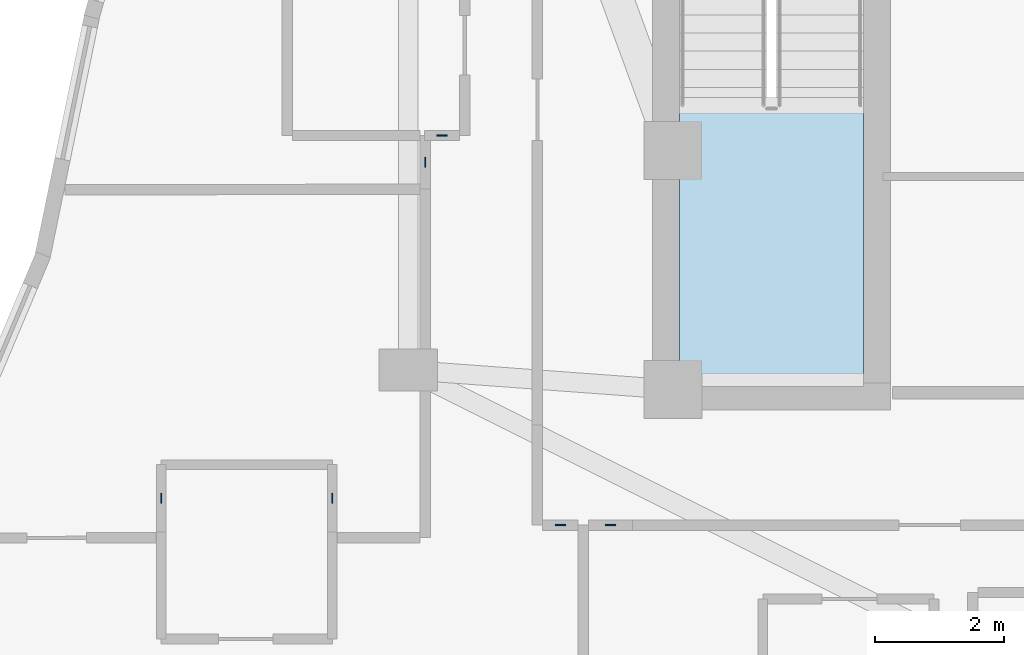
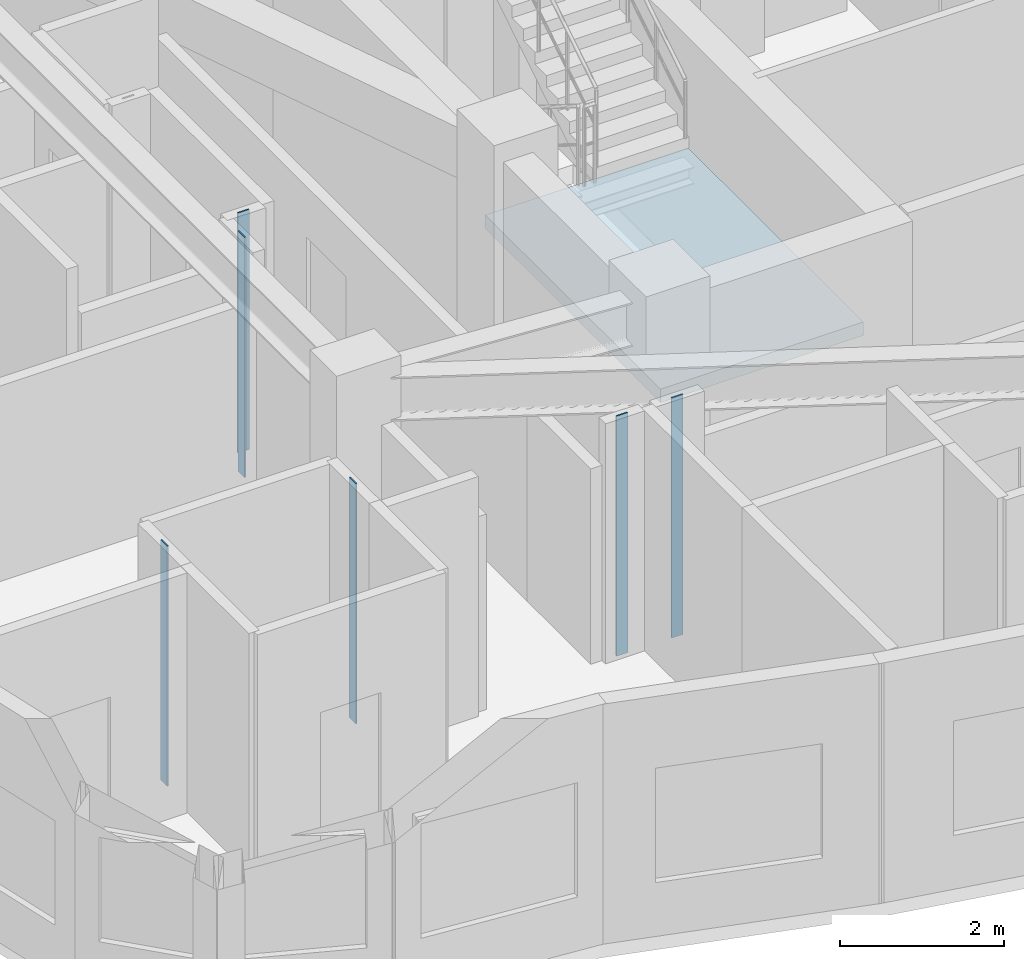
# One storey, part 2 of 13: 6 plates, 1 slab, 1 element without a shape of its own.
"""IFC4 building model written with IfcOpenShell, lengths in metres."""

import ifcopenshell
import ifcopenshell.guid

model = None  # the IFC model being written
_history = None  # IfcOwnerHistory: only IFC2X3 demands one
_inside = {}  # id of a spatial element -> (the spatial element, [elements in it])
_under = {}  # id of a project, library or spatial element -> (it, [spatial elements below it])
_declared = {}  # id of a project -> (the project, [libraries it declares])
_typed = {}  # id of a type object -> (the type object, [elements of that type])
_made_of = {}  # id of a material, layer set ... -> (it, [elements and type objects made of it])


def new_model(schema):
    """Start an empty IFC model of exactly this schema.

    Asked for "IFC4X3", IfcOpenShell would pick the latest addendum, in which some entities
    have other attributes; the version numbers below select the first issue.
    IFC2X3 requires an IfcOwnerHistory on every rooted entity: one is made here for all.
    """
    global model, _history
    if schema == "IFC4X3":
        model = ifcopenshell.file(schema_version=(4, 3, 0, 0))
    else:
        model = ifcopenshell.file(schema=schema)
    _inside.clear()
    _under.clear()
    _declared.clear()
    _typed.clear()
    _made_of.clear()
    _history = None
    if model.schema == "IFC2X3":
        org = make("IfcOrganization", Name="unknown")
        user = make(
            "IfcPersonAndOrganization",
            ThePerson=make("IfcPerson", FamilyName="unknown"),
            TheOrganization=org,
        )
        app = make(
            "IfcApplication",
            ApplicationDeveloper=org,
            Version="unknown",
            ApplicationFullName="unknown",
            ApplicationIdentifier="unknown",
        )
        _history = make(
            "IfcOwnerHistory",
            OwningUser=user,
            OwningApplication=app,
            ChangeAction="ADDED",
            CreationDate=0,
        )
    return model


def make(cls, **values):
    """One entity of the class cls with the attributes given. An attribute that is None is left unset."""
    return model.create_entity(
        cls, **{name: value for name, value in values.items() if value is not None}
    )


def rooted(cls, **values):
    """An entity with a GlobalId (a new one), such as an element, a storey or a relation."""
    return make(cls, GlobalId=ifcopenshell.guid.new(), OwnerHistory=_history, **values)


def si_unit(unit_type, name, prefix=None):
    """IfcSIUnit, for example si_unit("LENGTHUNIT", "METRE", prefix="MILLI")."""
    return make("IfcSIUnit", UnitType=unit_type, Prefix=prefix, Name=name)


def assignment(units):
    """IfcUnitAssignment: the units of a project."""
    return None if units is None else make("IfcUnitAssignment", Units=units)


def point(xyz):
    """IfcCartesianPoint."""
    return None if xyz is None else make("IfcCartesianPoint", Coordinates=xyz)


def direction(xyz):
    """IfcDirection."""
    return None if xyz is None else make("IfcDirection", DirectionRatios=xyz)


def frame(location, z_axis=None, x_axis=None):
    """IfcAxis2Placement3D, a coordinate frame: its origin and axes. An axis left out is left unset."""
    return make(
        "IfcAxis2Placement3D",
        Location=point(location),
        Axis=direction(z_axis),
        RefDirection=direction(x_axis),
    )


def frame_2d(location, x_axis=None):
    """IfcAxis2Placement2D, a coordinate frame in the plane: its origin and x axis."""
    return make(
        "IfcAxis2Placement2D", Location=point(location), RefDirection=direction(x_axis)
    )


def origin():
    """The frame at (0, 0, 0) with its axes left unset."""
    return frame((0.0, 0.0, 0.0))


def origin_2d():
    """The frame at (0, 0) in the plane with its x axis left unset."""
    return frame_2d((0.0, 0.0))


def place(relative_to, where):
    """IfcLocalPlacement: puts the frame where relative to a parent placement (None: the world)."""
    return make(
        "IfcLocalPlacement", PlacementRelTo=relative_to, RelativePlacement=where
    )


def context(
    kind, dimensions, precision=None, world=None, true_north=None, identifier=None
):
    """IfcGeometricRepresentationContext, for example the 3D "Model" context."""
    return make(
        "IfcGeometricRepresentationContext",
        ContextIdentifier=identifier,
        ContextType=kind,
        CoordinateSpaceDimension=dimensions,
        Precision=precision,
        WorldCoordinateSystem=world,
        TrueNorth=true_north,
    )


def subcontext(parent, identifier, kind, view, scale=None):
    """IfcGeometricRepresentationSubContext, for example "Body" below "Model"."""
    return make(
        "IfcGeometricRepresentationSubContext",
        ContextIdentifier=identifier,
        ContextType=kind,
        ParentContext=parent,
        TargetScale=scale,
        TargetView=view,
    )


def project(units=None, contexts=None):
    """IfcProject with its units and contexts."""
    return rooted(
        "IfcProject",
        Name="project",
        RepresentationContexts=contexts,
        UnitsInContext=assignment(units),
    )


def spatial(cls, under=None, at=None, **own):
    """A site, building, storey or space (cls), placed at a placement, below another one or the project."""
    s = rooted(cls, ObjectPlacement=at, **own)
    if under is not None:
        _under.setdefault(under.id(), (under, []))[1].append(s)
    return s


def polyline(points):
    """IfcPolyline through the points."""
    return make("IfcPolyline", Points=[point(p) for p in points])


def profile(cls, at=None, kind="AREA", **sizes):
    """A parametric profile (cls). Its sizes go by their IFC names, for example OverallWidth=200.0."""
    return make(cls, ProfileType=kind, Position=at, **sizes)


def rectangle(**sizes):
    """IfcRectangleProfileDef."""
    return profile("IfcRectangleProfileDef", **sizes)


def outline(outer, holes=None, kind="AREA"):
    """IfcArbitraryClosedProfileDef: a profile drawn as a closed curve; with holes, ...WithVoids."""
    if holes is None:
        return make("IfcArbitraryClosedProfileDef", ProfileType=kind, OuterCurve=outer)
    return make(
        "IfcArbitraryProfileDefWithVoids",
        ProfileType=kind,
        OuterCurve=outer,
        InnerCurves=holes,
    )


def extrude(swept, where, along, depth):
    """IfcExtrudedAreaSolid: the profile swept, set in the frame where, extruded along a direction by depth."""
    return make(
        "IfcExtrudedAreaSolid",
        SweptArea=swept,
        Position=where,
        ExtrudedDirection=direction(along),
        Depth=depth,
    )


def shape(context_of_items, identifier, shape_type, items):
    """IfcShapeRepresentation: the items that make up one representation, for example the "Body"."""
    return make(
        "IfcShapeRepresentation",
        ContextOfItems=context_of_items,
        RepresentationIdentifier=identifier,
        RepresentationType=shape_type,
        Items=items,
    )


def material(Name=None, Category=None):
    """IfcMaterial."""
    return make("IfcMaterial", Name=Name, Category=Category)


def layer(
    of_material, thickness, ventilated=None, Name=None, Category=None, Priority=None
):
    """IfcMaterialLayer: one layer of a wall or slab, of a material (None: an air gap)."""
    return make(
        "IfcMaterialLayer",
        Material=of_material,
        LayerThickness=thickness,
        IsVentilated=ventilated,
        Name=Name,
        Category=Category,
        Priority=Priority,
    )


def layer_set(layers, Name=None):
    """IfcMaterialLayerSet."""
    return make("IfcMaterialLayerSet", MaterialLayers=layers, LayerSetName=Name)


def made_of(thing, what):
    """Note that an element or type object is made of a material, layer set ...; save() writes the relation."""
    if what is not None:
        _made_of.setdefault(what.id(), (what, []))[1].append(thing)
    return thing


def type_object(cls, material=None, **own):
    """A type object (cls), such as IfcWallType, which elements share."""
    return made_of(rooted(cls, **own), material)


def element(
    cls,
    number,
    at=None,
    inside=None,
    cuts=None,
    type_object=None,
    material=None,
    context=None,
    identifier="Body",
    shape_type=None,
    held_by="IfcProductDefinitionShape",
    body=None,
    shapes=None,
    **own,
):
    """One element of the class cls, such as IfcWall. Its Tag is "e" and its number.

    at: its placement. inside: the storey or other place that contains it. cuts: it is an
    opening in that element (IfcRelVoidsElement). A single representation is given by context,
    identifier, shape_type and body (its items); several are given by shapes. held_by: the class
    of the entity that holds the representations. save() writes the other relations.
    """
    e = rooted(cls, Tag="e%d" % number, ObjectPlacement=at, **own)
    if body is not None:
        shapes = [shape(context, identifier, shape_type, body)]
    if shapes is not None:
        e.Representation = make(held_by, Representations=shapes)
    if inside is not None:
        _inside.setdefault(inside.id(), (inside, []))[1].append(e)
    if cuts is not None:
        rooted(
            "IfcRelVoidsElement", RelatingBuildingElement=cuts, RelatedOpeningElement=e
        )
    if type_object is not None:
        _typed.setdefault(type_object.id(), (type_object, []))[1].append(e)
    return made_of(e, material)


def aggregate(whole, parts):
    """IfcRelAggregates: a whole, such as a stair, and the parts it consists of."""
    return rooted("IfcRelAggregates", RelatingObject=whole, RelatedObjects=parts)


def save(model, path):
    """Write the relations noted so far, then the file.

    IfcRelAggregates (storeys below a building ...), IfcRelContainedInSpatialStructure (elements
    in a storey), IfcRelDefinesByType, IfcRelAssociatesMaterial and IfcRelDeclares: one each for
    every whole, place, type object, material and project.
    """
    for whole, parts in _under.values():
        aggregate(whole, parts)
    for where, things in _inside.values():
        rooted(
            "IfcRelContainedInSpatialStructure",
            RelatedElements=things,
            RelatingStructure=where,
        )
    for kind, things in _typed.values():
        rooted("IfcRelDefinesByType", RelatedObjects=things, RelatingType=kind)
    for what, things in _made_of.values():
        rooted("IfcRelAssociatesMaterial", RelatedObjects=things, RelatingMaterial=what)
    for by, libraries in _declared.values():
        rooted("IfcRelDeclares", RelatingContext=by, RelatedDefinitions=libraries)
    model.write(path)


model = new_model("IFC4")

# Units and contexts
model_context = context("Model", 3, precision=1e-05, world=origin(), true_north=direction((0.0, 1.0)))
body_context = subcontext(model_context, "Body", "Model", "MODEL_VIEW")
ifc_project = project(units=[si_unit("LENGTHUNIT", "METRE"), si_unit("AREAUNIT", "SQUARE_METRE"), si_unit("VOLUMEUNIT", "CUBIC_METRE"), si_unit("PLANEANGLEUNIT", "RADIAN"), si_unit("MASSUNIT", "GRAM", prefix="KILO")], contexts=[model_context])

# Site, building, storey
site_placement = place(None, origin())
site = spatial("IfcSite", under=ifc_project, at=site_placement, CompositionType="ELEMENT")
building_placement = place(site_placement, origin())
building = spatial("IfcBuilding", under=site, at=building_placement, Name="Miruveldt Soraemaru", CompositionType="ELEMENT")
storey_placement = place(building_placement, frame((0.0, 0.0, 259.699951171875)))
storey = spatial("IfcBuildingStorey", under=building, at=storey_placement, Name="L71", CompositionType="ELEMENT", Elevation=259.699951171875)

# Plates
ifc_material_1 = material(Name="Anodised aluminium EN AW-6063 T6", Category="aluminium")
ifc_layer_1 = layer(ifc_material_1, 0.02001953125, Name="Anodised aluminium EN AW-6063 T6", Category="aluminium")
ifc_layer_set_1 = layer_set([ifc_layer_1], Name="Anodised aluminium EN AW-6063 T6")
plate_type = type_object("IfcPlateType", Name="PLT-PART-TRIM", PredefinedType="SHEET", material=ifc_layer_set_1)
for number, where, z_axis, x_axis, name in (
    (1, (30.222900390625, 33.8154296875, 0.0), (0.0, 0.0, 1.0), (0.0, 1.0, 0.0), "L71 Partition Step Corner Trim Plate 040"),
    (2, (27.572998046875, 33.8154296875, 0.0), (0.0, 0.0, 1.0), (0.0, -1.0, 0.0), "L71 Partition Step Corner Trim Plate 042"),
    (3, (31.662109375, 39.01904296875, 0.0), (0.0, 0.0, 1.0), (0.0, -1.0, 0.0), "L71 Partition Step Corner Trim Plate 037"),
    (4, (34.531005859375, 33.39990234375, 0.0), (0.0, 0.0, 1.0), (1.0, 0.0, 0.0), "L71 Partition Step Corner Trim Plate 008"),
    (5, (33.756103515625, 33.39990234375, 0.0), (0.0, 0.0, 1.0), (1.0, 0.0, 0.0), "L71 Partition Step Corner Trim Plate 007"),
    (6, (31.922607421875, 39.43505859375, 0.0), (0.0, 0.0, 1.0), (1.0, 0.0, 0.0), "L71 Partition Step Corner Trim Plate 032"),
):
    element("IfcPlate", number, at=place(storey_placement, frame(where, z_axis=z_axis, x_axis=x_axis)), inside=storey, type_object=plate_type, Name=name, PredefinedType="SHEET", context=body_context, shape_type="SweptSolid", body=[
        extrude(rectangle(XDim=0.159912109375, YDim=0.02001953125, at=origin_2d()), origin(), (0.0, 0.0, 1.0), 3.56494140625),
    ])

# Stair, slab
ifc_material_2 = material(Name="Concrete C40/50 (40 MPa)", Category="concrete")
stair_type = type_object("IfcStairType", Name="STAIR-DL-385", PredefinedType="HALF_TURN_STAIR", material=ifc_material_2)
stair_placement = place(storey_placement, origin())
stair = element("IfcStair", 7, at=stair_placement, inside=storey, type_object=stair_type, Name="L71 Protected Exit Stair ST-1", PredefinedType="HALF_TURN_STAIR")
ifc_layer_2 = layer(ifc_material_2, 0.199951171875, Name="Concrete C40/50 (40 MPa)", Category="concrete")
ifc_layer_set_2 = layer_set([ifc_layer_2], Name="Concrete C40/50 (40 MPa)")
slab_type = type_object("IfcSlabType", Name="SLAB-LAND-200", PredefinedType="LANDING", material=ifc_layer_set_2)
slab_placement = place(storey_placement, frame((0.0, 0.0, 1.72509765625)))
slab = element("IfcSlab", 8, at=slab_placement, type_object=slab_type, Name="ST-1 landing 1", PredefinedType="LANDING", context=body_context, shape_type="SweptSolid", body=[
    extrude(outline(polyline([(35.60009765625, 39.91796875), (35.60009765625, 35.64990234375), (38.449951171875, 35.64990234375), (38.449951171875, 39.91796875), (35.60009765625, 39.91796875)])), origin(), (0.0, 0.0, 1.0), 0.199951171875),
])
aggregate(stair, [slab])

save(model, "model.ifc")
